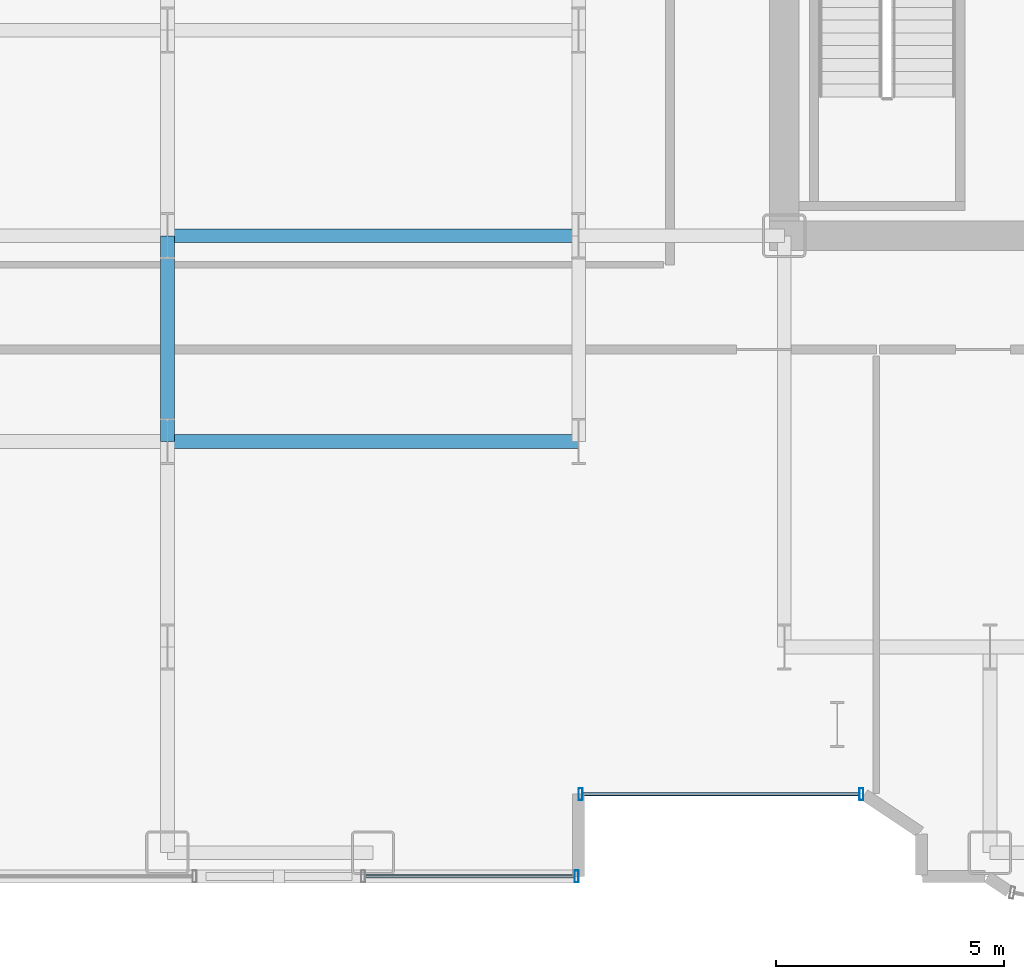
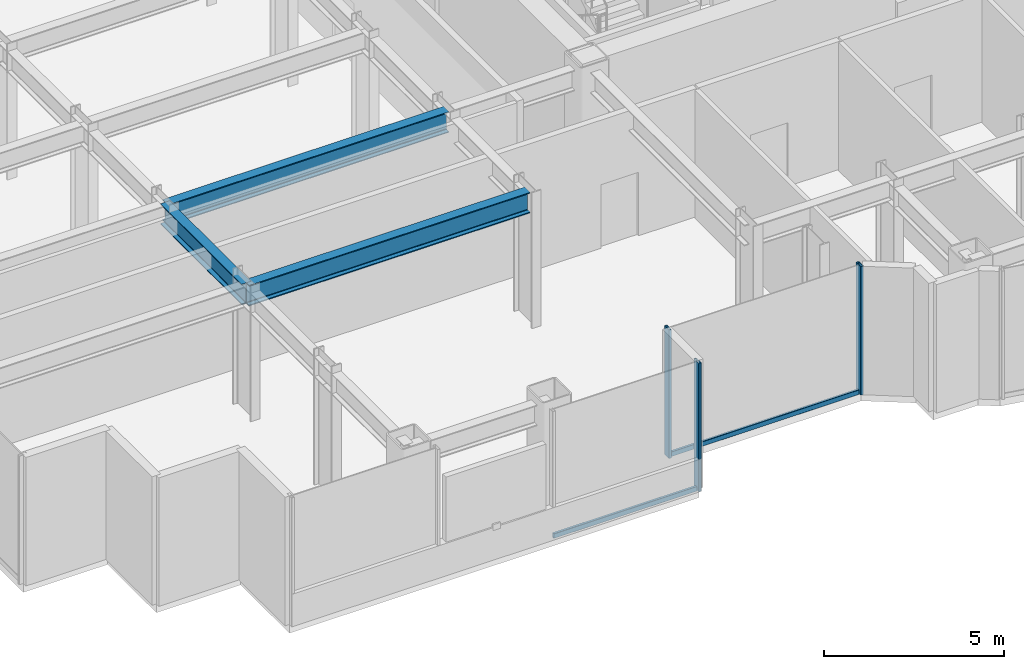
# One storey, part 3 of 30: 5 members, 3 beams, 2 elements without a shape of their own.
"""IFC4 building model written with IfcOpenShell, lengths in metres."""

import ifcopenshell
import ifcopenshell.guid

model = None  # the IFC model being written
_history = None  # IfcOwnerHistory: only IFC2X3 demands one
_inside = {}  # id of a spatial element -> (the spatial element, [elements in it])
_under = {}  # id of a project, library or spatial element -> (it, [spatial elements below it])
_declared = {}  # id of a project -> (the project, [libraries it declares])
_typed = {}  # id of a type object -> (the type object, [elements of that type])
_made_of = {}  # id of a material, layer set ... -> (it, [elements and type objects made of it])


def new_model(schema):
    """Start an empty IFC model of exactly this schema.

    Asked for "IFC4X3", IfcOpenShell would pick the latest addendum, in which some entities
    have other attributes; the version numbers below select the first issue.
    IFC2X3 requires an IfcOwnerHistory on every rooted entity: one is made here for all.
    """
    global model, _history
    if schema == "IFC4X3":
        model = ifcopenshell.file(schema_version=(4, 3, 0, 0))
    else:
        model = ifcopenshell.file(schema=schema)
    _inside.clear()
    _under.clear()
    _declared.clear()
    _typed.clear()
    _made_of.clear()
    _history = None
    if model.schema == "IFC2X3":
        org = make("IfcOrganization", Name="unknown")
        user = make(
            "IfcPersonAndOrganization",
            ThePerson=make("IfcPerson", FamilyName="unknown"),
            TheOrganization=org,
        )
        app = make(
            "IfcApplication",
            ApplicationDeveloper=org,
            Version="unknown",
            ApplicationFullName="unknown",
            ApplicationIdentifier="unknown",
        )
        _history = make(
            "IfcOwnerHistory",
            OwningUser=user,
            OwningApplication=app,
            ChangeAction="ADDED",
            CreationDate=0,
        )
    return model


def make(cls, **values):
    """One entity of the class cls with the attributes given. An attribute that is None is left unset."""
    return model.create_entity(
        cls, **{name: value for name, value in values.items() if value is not None}
    )


def rooted(cls, **values):
    """An entity with a GlobalId (a new one), such as an element, a storey or a relation."""
    return make(cls, GlobalId=ifcopenshell.guid.new(), OwnerHistory=_history, **values)


def si_unit(unit_type, name, prefix=None):
    """IfcSIUnit, for example si_unit("LENGTHUNIT", "METRE", prefix="MILLI")."""
    return make("IfcSIUnit", UnitType=unit_type, Prefix=prefix, Name=name)


def assignment(units):
    """IfcUnitAssignment: the units of a project."""
    return None if units is None else make("IfcUnitAssignment", Units=units)


def point(xyz):
    """IfcCartesianPoint."""
    return None if xyz is None else make("IfcCartesianPoint", Coordinates=xyz)


def direction(xyz):
    """IfcDirection."""
    return None if xyz is None else make("IfcDirection", DirectionRatios=xyz)


def frame(location, z_axis=None, x_axis=None):
    """IfcAxis2Placement3D, a coordinate frame: its origin and axes. An axis left out is left unset."""
    return make(
        "IfcAxis2Placement3D",
        Location=point(location),
        Axis=direction(z_axis),
        RefDirection=direction(x_axis),
    )


def frame_2d(location, x_axis=None):
    """IfcAxis2Placement2D, a coordinate frame in the plane: its origin and x axis."""
    return make(
        "IfcAxis2Placement2D", Location=point(location), RefDirection=direction(x_axis)
    )


def origin():
    """The frame at (0, 0, 0) with its axes left unset."""
    return frame((0.0, 0.0, 0.0))


def origin_2d():
    """The frame at (0, 0) in the plane with its x axis left unset."""
    return frame_2d((0.0, 0.0))


def place(relative_to, where):
    """IfcLocalPlacement: puts the frame where relative to a parent placement (None: the world)."""
    return make(
        "IfcLocalPlacement", PlacementRelTo=relative_to, RelativePlacement=where
    )


def context(
    kind, dimensions, precision=None, world=None, true_north=None, identifier=None
):
    """IfcGeometricRepresentationContext, for example the 3D "Model" context."""
    return make(
        "IfcGeometricRepresentationContext",
        ContextIdentifier=identifier,
        ContextType=kind,
        CoordinateSpaceDimension=dimensions,
        Precision=precision,
        WorldCoordinateSystem=world,
        TrueNorth=true_north,
    )


def subcontext(parent, identifier, kind, view, scale=None):
    """IfcGeometricRepresentationSubContext, for example "Body" below "Model"."""
    return make(
        "IfcGeometricRepresentationSubContext",
        ContextIdentifier=identifier,
        ContextType=kind,
        ParentContext=parent,
        TargetScale=scale,
        TargetView=view,
    )


def project(units=None, contexts=None):
    """IfcProject with its units and contexts."""
    return rooted(
        "IfcProject",
        Name="project",
        RepresentationContexts=contexts,
        UnitsInContext=assignment(units),
    )


def spatial(cls, under=None, at=None, **own):
    """A site, building, storey or space (cls), placed at a placement, below another one or the project."""
    s = rooted(cls, ObjectPlacement=at, **own)
    if under is not None:
        _under.setdefault(under.id(), (under, []))[1].append(s)
    return s


def profile(cls, at=None, kind="AREA", **sizes):
    """A parametric profile (cls). Its sizes go by their IFC names, for example OverallWidth=200.0."""
    return make(cls, ProfileType=kind, Position=at, **sizes)


def hollow_rectangle(**sizes):
    """IfcRectangleHollowProfileDef."""
    return profile("IfcRectangleHollowProfileDef", **sizes)


def i_section(**sizes):
    """IfcIShapeProfileDef."""
    return profile("IfcIShapeProfileDef", **sizes)


def extrude(swept, where, along, depth):
    """IfcExtrudedAreaSolid: the profile swept, set in the frame where, extruded along a direction by depth."""
    return make(
        "IfcExtrudedAreaSolid",
        SweptArea=swept,
        Position=where,
        ExtrudedDirection=direction(along),
        Depth=depth,
    )


def shape(context_of_items, identifier, shape_type, items):
    """IfcShapeRepresentation: the items that make up one representation, for example the "Body"."""
    return make(
        "IfcShapeRepresentation",
        ContextOfItems=context_of_items,
        RepresentationIdentifier=identifier,
        RepresentationType=shape_type,
        Items=items,
    )


def source(mapping_origin, context_of_items, identifier, shape_type, items):
    """IfcRepresentationMap: a shape defined once, which mapped items show again and again."""
    return make(
        "IfcRepresentationMap",
        MappingOrigin=mapping_origin,
        MappedRepresentation=shape(context_of_items, identifier, shape_type, items),
    )


def transform(
    local_origin,
    x_axis=None,
    y_axis=None,
    z_axis=None,
    scale=None,
    scale2=None,
    scale3=None,
    uniform=True,
):
    """IfcCartesianTransformationOperator3D, or its non-uniform kind. x_axis, y_axis, z_axis: its Axis1, 2, 3."""
    if uniform:
        return make(
            "IfcCartesianTransformationOperator3D",
            Axis1=direction(x_axis),
            Axis2=direction(y_axis),
            LocalOrigin=point(local_origin),
            Scale=scale,
            Axis3=direction(z_axis),
        )
    return make(
        "IfcCartesianTransformationOperator3DnonUniform",
        Axis1=direction(x_axis),
        Axis2=direction(y_axis),
        LocalOrigin=point(local_origin),
        Scale=scale,
        Axis3=direction(z_axis),
        Scale2=scale2,
        Scale3=scale3,
    )


def mapped(mapping_source, mapping_target):
    """IfcMappedItem: shows the shape of a source again, moved by a transform."""
    return make(
        "IfcMappedItem", MappingSource=mapping_source, MappingTarget=mapping_target
    )


def material(Name=None, Category=None):
    """IfcMaterial."""
    return make("IfcMaterial", Name=Name, Category=Category)


def layer(
    of_material, thickness, ventilated=None, Name=None, Category=None, Priority=None
):
    """IfcMaterialLayer: one layer of a wall or slab, of a material (None: an air gap)."""
    return make(
        "IfcMaterialLayer",
        Material=of_material,
        LayerThickness=thickness,
        IsVentilated=ventilated,
        Name=Name,
        Category=Category,
        Priority=Priority,
    )


def layer_set(layers, Name=None):
    """IfcMaterialLayerSet."""
    return make("IfcMaterialLayerSet", MaterialLayers=layers, LayerSetName=Name)


def material_profile(
    of_material, cross_section, Name=None, Category=None, Priority=None
):
    """IfcMaterialProfile: a cross section and its material."""
    return make(
        "IfcMaterialProfile",
        Name=Name,
        Material=of_material,
        Profile=cross_section,
        Priority=Priority,
        Category=Category,
    )


def profile_set(profiles, Name=None, composite=None):
    """IfcMaterialProfileSet."""
    return make(
        "IfcMaterialProfileSet",
        Name=Name,
        MaterialProfiles=profiles,
        CompositeProfile=composite,
    )


def made_of(thing, what):
    """Note that an element or type object is made of a material, layer set ...; save() writes the relation."""
    if what is not None:
        _made_of.setdefault(what.id(), (what, []))[1].append(thing)
    return thing


def type_object(cls, material=None, **own):
    """A type object (cls), such as IfcWallType, which elements share."""
    return made_of(rooted(cls, **own), material)


def element(
    cls,
    number,
    at=None,
    inside=None,
    cuts=None,
    type_object=None,
    material=None,
    context=None,
    identifier="Body",
    shape_type=None,
    held_by="IfcProductDefinitionShape",
    body=None,
    shapes=None,
    **own,
):
    """One element of the class cls, such as IfcWall. Its Tag is "e" and its number.

    at: its placement. inside: the storey or other place that contains it. cuts: it is an
    opening in that element (IfcRelVoidsElement). A single representation is given by context,
    identifier, shape_type and body (its items); several are given by shapes. held_by: the class
    of the entity that holds the representations. save() writes the other relations.
    """
    e = rooted(cls, Tag="e%d" % number, ObjectPlacement=at, **own)
    if body is not None:
        shapes = [shape(context, identifier, shape_type, body)]
    if shapes is not None:
        e.Representation = make(held_by, Representations=shapes)
    if inside is not None:
        _inside.setdefault(inside.id(), (inside, []))[1].append(e)
    if cuts is not None:
        rooted(
            "IfcRelVoidsElement", RelatingBuildingElement=cuts, RelatedOpeningElement=e
        )
    if type_object is not None:
        _typed.setdefault(type_object.id(), (type_object, []))[1].append(e)
    return made_of(e, material)


def aggregate(whole, parts):
    """IfcRelAggregates: a whole, such as a stair, and the parts it consists of."""
    return rooted("IfcRelAggregates", RelatingObject=whole, RelatedObjects=parts)


def save(model, path):
    """Write the relations noted so far, then the file.

    IfcRelAggregates (storeys below a building ...), IfcRelContainedInSpatialStructure (elements
    in a storey), IfcRelDefinesByType, IfcRelAssociatesMaterial and IfcRelDeclares: one each for
    every whole, place, type object, material and project.
    """
    for whole, parts in _under.values():
        aggregate(whole, parts)
    for where, things in _inside.values():
        rooted(
            "IfcRelContainedInSpatialStructure",
            RelatedElements=things,
            RelatingStructure=where,
        )
    for kind, things in _typed.values():
        rooted("IfcRelDefinesByType", RelatedObjects=things, RelatingType=kind)
    for what, things in _made_of.values():
        rooted("IfcRelAssociatesMaterial", RelatedObjects=things, RelatingMaterial=what)
    for by, libraries in _declared.values():
        rooted("IfcRelDeclares", RelatingContext=by, RelatedDefinitions=libraries)
    model.write(path)


model = new_model("IFC4")

# Units and contexts
model_context = context("Model", 3, precision=1e-05, world=origin(), true_north=direction((0.0, 1.0)))
body_context = subcontext(model_context, "Body", "Model", "MODEL_VIEW")
ifc_project = project(units=[si_unit("LENGTHUNIT", "METRE"), si_unit("AREAUNIT", "SQUARE_METRE"), si_unit("VOLUMEUNIT", "CUBIC_METRE"), si_unit("PLANEANGLEUNIT", "RADIAN"), si_unit("MASSUNIT", "GRAM", prefix="KILO")], contexts=[model_context])

# Site, building, storey
site_placement = place(None, origin())
site = spatial("IfcSite", under=ifc_project, at=site_placement, CompositionType="ELEMENT")
building_placement = place(site_placement, origin())
building = spatial("IfcBuilding", under=site, at=building_placement, Name="Nefas-Gora Pilgrimage Tower", CompositionType="ELEMENT")
storey_placement = place(building_placement, frame((0.0, 0.0, 86.199951171875)))
storey = spatial("IfcBuildingStorey", under=building, at=storey_placement, Name="L20", CompositionType="ELEMENT", Elevation=86.199951171875)

# Beams
ifc_material_1 = material(Name="Steel S355", Category="steel")
ifc_material_profile_1 = material_profile(ifc_material_1, i_section(OverallWidth=0.300048828125, OverallDepth=0.699951171875, WebThickness=0.01708984375, FlangeThickness=0.031982421875, FilletRadius=0.027099609375, at=origin_2d()), Name="HEB 700")
ifc_profile_set_1 = profile_set([ifc_material_profile_1], Name="Steel S355")
beam_type = type_object("IfcBeamType", Name="BM-GIR-HEB700", PredefinedType="BEAM", material=ifc_profile_set_1)
shared_shape_1 = source(origin(), body_context, "Body", "SweptSolid", [
    extrude(i_section(OverallWidth=0.300048828125, OverallDepth=0.699951171875, WebThickness=0.01708984375, FlangeThickness=0.031982421875, FilletRadius=0.027099609375, at=origin_2d()), origin(), (0.0, 0.0, 1.0), 9.0),
])
for number, where, z_axis, x_axis, name in (
    (1, (-24.75, -13.5, 4.0), (1.0, 0.0, 0.0), (0.0, 1.0, 0.0), "L20 G-02 beam"),
    (2, (-24.75, -9.0, 4.0), (1.0, 0.0, 0.0), (0.0, 1.0, 0.0), "L20 G-02 beam"),
):
    element("IfcBeam", number, at=place(storey_placement, frame(where, z_axis=z_axis, x_axis=x_axis)), inside=storey, type_object=beam_type, Name=name, PredefinedType="BEAM", context=body_context, shape_type="MappedRepresentation", body=[
        mapped(shared_shape_1, transform((0.0, 0.0, 0.0), x_axis=(1.0, 0.0, 0.0), y_axis=(0.0, 1.0, 0.0), z_axis=(0.0, 0.0, 1.0), scale=1.0)),
    ])
shared_shape_2 = source(origin(), body_context, "Body", "SweptSolid", [
    extrude(i_section(OverallWidth=0.300048828125, OverallDepth=0.699951171875, WebThickness=0.01708984375, FlangeThickness=0.031982421875, FilletRadius=0.027099609375, at=origin_2d()), origin(), (0.0, 0.0, 1.0), 4.5),
])
beam_placement = place(storey_placement, frame((-24.75, -13.5, 4.0), z_axis=(0.0, 1.0, 0.0), x_axis=(-1.0, 0.0, 0.0)))
element("IfcBeam", 3, at=beam_placement, inside=storey, type_object=beam_type, Name="L20 G-02 beam", PredefinedType="BEAM", context=body_context, shape_type="MappedRepresentation", body=[
    mapped(shared_shape_2, transform((0.0, 0.0, 0.0), x_axis=(1.0, 0.0, 0.0), y_axis=(0.0, 1.0, 0.0), z_axis=(0.0, 0.0, 1.0), scale=1.0)),
])

# Curtain wall, members
ifc_material_2 = material(Name="Dark ceramic-fritted solar-control aluminium-glass curtain wall", Category="aluminium")
ifc_layer_1 = layer(ifc_material_2, 0.219970703125)
ifc_layer_set_1 = layer_set([ifc_layer_1], Name="Dark ceramic-fritted solar-control aluminium-glass curtain wall")
curtain_wall_type_1 = type_object("IfcCurtainWallType", Name="CW-SYS-5", PredefinedType="NOTDEFINED", material=ifc_layer_set_1)
curtain_wall_1_placement = place(storey_placement, origin())
curtain_wall_1 = element("IfcCurtainWall", 4, at=curtain_wall_1_placement, inside=storey, type_object=curtain_wall_type_1, Name="L20 Unitised Curtain Wall CW5", PredefinedType="NOTDEFINED")
ifc_material_3 = material(Name="Anodised architectural aluminium", Category="aluminium")
ifc_material_profile_2 = material_profile(ifc_material_3, hollow_rectangle(XDim=0.080078125, YDim=0.159912109375, WallThickness=0.00439453125, InnerFilletRadius=0.00439453125, OuterFilletRadius=0.009033203125, at=origin_2d()), Name="ALU TRANSOM 80x160")
ifc_profile_set_2 = profile_set([ifc_material_profile_2], Name="Anodised architectural aluminium")
member_type_1 = type_object("IfcMemberType", Name="CWM-TRN-5", PredefinedType="USERDEFINED", material=ifc_profile_set_2)
shared_shape_3 = source(origin(), body_context, "Body", "SweptSolid", [
    extrude(hollow_rectangle(XDim=0.080078125, YDim=0.159912109375, WallThickness=0.00439453125, InnerFilletRadius=0.00439453125, OuterFilletRadius=0.009033203125, at=origin_2d()), origin(), (0.0, 0.0, 1.0), 6.052001953125),
])
member_1_placement = place(storey_placement, frame((-15.659912109375, -21.219970703125, 0.050048828125), z_axis=(1.0, 0.0, 0.0), x_axis=(0.0, 1.0, 0.0)))
member_1 = element("IfcMember", 5, at=member_1_placement, type_object=member_type_1, Name="CW5 Spandrel Transom", ObjectType="TRANSOM", PredefinedType="USERDEFINED", context=body_context, shape_type="MappedRepresentation", body=[
    mapped(shared_shape_3, transform((0.0, 0.0, 0.0), x_axis=(1.0, 0.0, 0.0), y_axis=(0.0, 1.0, 0.0), z_axis=(0.0, 0.0, 1.0), scale=1.0)),
])
ifc_material_profile_3 = material_profile(ifc_material_3, hollow_rectangle(XDim=0.090087890625, YDim=0.260009765625, WallThickness=0.006103515625, InnerFilletRadius=0.006103515625, OuterFilletRadius=0.011962890625, at=origin_2d()), Name="ALU MULLION 90x260")
ifc_profile_set_3 = profile_set([ifc_material_profile_3], Name="Anodised architectural aluminium")
member_type_2 = type_object("IfcMemberType", Name="CWM-MUL-5", PredefinedType="MULLION", material=ifc_profile_set_3)
shared_shape_4 = source(origin(), body_context, "Body", "SweptSolid", [
    extrude(hollow_rectangle(XDim=0.090087890625, YDim=0.260009765625, WallThickness=0.006103515625, InnerFilletRadius=0.006103515625, OuterFilletRadius=0.011962890625, at=origin_2d()), origin(), (0.0, 0.0, 1.0), 4.35009765625),
])
member_2_placement = place(storey_placement, frame((-15.705078125, -21.219970703125, 0.0), z_axis=(0.0, 0.0, 1.0), x_axis=(1.0, 0.0, 0.0)))
member_2 = element("IfcMember", 6, at=member_2_placement, type_object=member_type_2, Name="CW5 Mullion 1", PredefinedType="MULLION", context=body_context, shape_type="MappedRepresentation", body=[
    mapped(shared_shape_4, transform((0.0, 0.0, 0.0), x_axis=(1.0, 0.0, 0.0), y_axis=(0.0, 1.0, 0.0), z_axis=(0.0, 0.0, 1.0), scale=1.0)),
])
member_3_placement = place(storey_placement, frame((-9.56298828125, -21.219970703125, 0.0), z_axis=(0.0, 0.0, 1.0), x_axis=(1.0, 0.0, 0.0)))
member_3 = element("IfcMember", 7, at=member_3_placement, type_object=member_type_2, Name="CW5 Mullion 2", PredefinedType="MULLION", context=body_context, shape_type="MappedRepresentation", body=[
    mapped(shared_shape_4, transform((0.0, 0.0, 0.0), x_axis=(1.0, 0.0, 0.0), y_axis=(0.0, 1.0, 0.0), z_axis=(0.0, 0.0, 1.0), scale=1.0)),
])
aggregate(curtain_wall_1, [member_2, member_3, member_1])

ifc_layer_2 = layer(ifc_material_2, 0.219970703125)
ifc_layer_set_2 = layer_set([ifc_layer_2], Name="Dark ceramic-fritted solar-control aluminium-glass curtain wall")
curtain_wall_type_2 = type_object("IfcCurtainWallType", Name="CW-SYS-2", PredefinedType="NOTDEFINED", material=ifc_layer_set_2)
curtain_wall_2_placement = place(storey_placement, origin())
curtain_wall_2 = element("IfcCurtainWall", 8, at=curtain_wall_2_placement, inside=storey, type_object=curtain_wall_type_2, Name="L20 Unitised Curtain Wall CW2", PredefinedType="NOTDEFINED")
ifc_material_profile_4 = material_profile(ifc_material_3, hollow_rectangle(XDim=0.090087890625, YDim=0.260009765625, WallThickness=0.006103515625, InnerFilletRadius=0.006103515625, OuterFilletRadius=0.011962890625, at=origin_2d()), Name="ALU MULLION 90x260")
ifc_profile_set_4 = profile_set([ifc_material_profile_4], Name="Anodised architectural aluminium")
member_type_3 = type_object("IfcMemberType", Name="CWM-MUL-2", PredefinedType="MULLION", material=ifc_profile_set_4)
shared_shape_5 = source(origin(), body_context, "Body", "SweptSolid", [
    extrude(hollow_rectangle(XDim=0.090087890625, YDim=0.260009765625, WallThickness=0.006103515625, InnerFilletRadius=0.006103515625, OuterFilletRadius=0.011962890625, at=origin_2d()), origin(), (0.0, 0.0, 1.0), 4.35009765625),
])
member_4_placement = place(storey_placement, frame((-15.794921875, -23.02001953125, 0.0), z_axis=(0.0, 0.0, 1.0), x_axis=(1.0, 0.0, 0.0)))
member_4 = element("IfcMember", 9, at=member_4_placement, type_object=member_type_3, Name="CW2 Mullion 2", PredefinedType="MULLION", context=body_context, shape_type="MappedRepresentation", body=[
    mapped(shared_shape_5, transform((0.0, 0.0, 0.0), x_axis=(1.0, 0.0, 0.0), y_axis=(0.0, 1.0, 0.0), z_axis=(0.0, 0.0, 1.0), scale=1.0)),
])
ifc_material_profile_5 = material_profile(ifc_material_3, hollow_rectangle(XDim=0.080078125, YDim=0.159912109375, WallThickness=0.00439453125, InnerFilletRadius=0.00439453125, OuterFilletRadius=0.009033203125, at=origin_2d()), Name="ALU TRANSOM 80x160")
ifc_profile_set_5 = profile_set([ifc_material_profile_5], Name="Anodised architectural aluminium")
member_type_4 = type_object("IfcMemberType", Name="CWM-TRN-2", PredefinedType="USERDEFINED", material=ifc_profile_set_5)
shared_shape_6 = source(origin(), body_context, "Body", "SweptSolid", [
    extrude(hollow_rectangle(XDim=0.080078125, YDim=0.159912109375, WallThickness=0.00439453125, InnerFilletRadius=0.00439453125, OuterFilletRadius=0.009033203125, at=origin_2d()), origin(), (0.0, 0.0, 1.0), 4.579833984375),
])
member_5_placement = place(storey_placement, frame((-20.419921875, -23.02001953125, 0.050048828125), z_axis=(1.0, 0.0, 0.0), x_axis=(0.0, 1.0, 0.0)))
member_5 = element("IfcMember", 10, at=member_5_placement, type_object=member_type_4, Name="CW2 Spandrel Transom", ObjectType="TRANSOM", PredefinedType="USERDEFINED", context=body_context, shape_type="MappedRepresentation", body=[
    mapped(shared_shape_6, transform((0.0, 0.0, 0.0), x_axis=(1.0, 0.0, 0.0), y_axis=(0.0, 1.0, 0.0), z_axis=(0.0, 0.0, 1.0), scale=1.0)),
])
aggregate(curtain_wall_2, [member_4, member_5])

save(model, "model.ifc")
